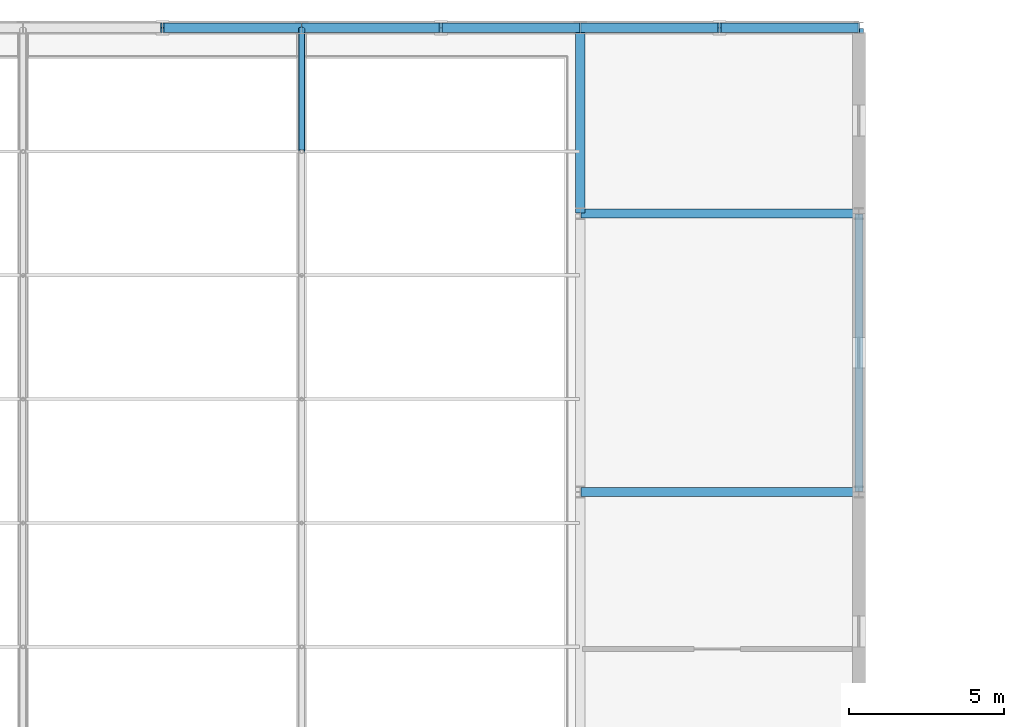
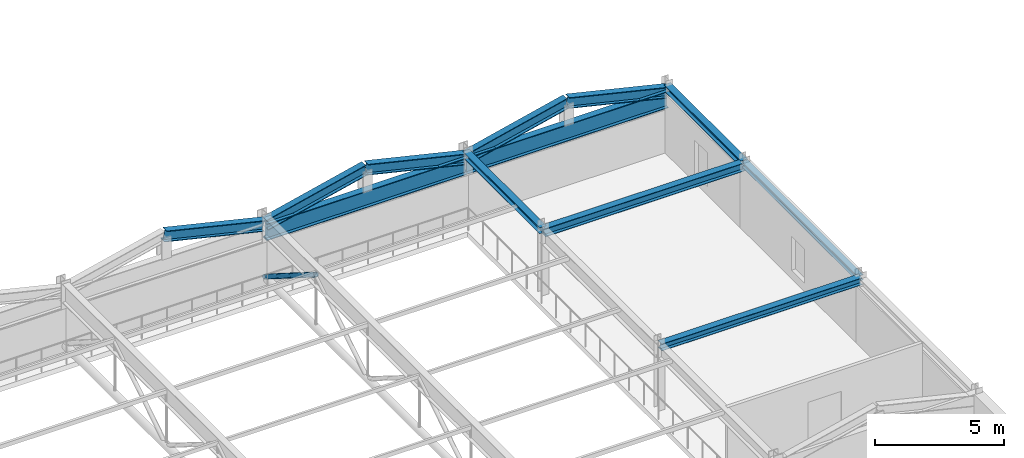
# One storey, part 41 of 91: 12 beams, 1 member.
"""IFC4 building model written with IfcOpenShell, lengths in metres."""

from ifc_helpers import new_model, si_unit, direction, frame, origin, origin_2d, place, context, subcontext, project, spatial, hollow_circle, i_section, extrude, material, material_profile, profile_set, type_object, element, save


model = new_model("IFC4")

# Units and contexts
model_context = context("Model", 3, precision=1e-05, world=origin(), true_north=direction((0.0, 1.0)))
body_context = subcontext(model_context, "Body", "Model", "MODEL_VIEW")
ifc_project = project(units=[si_unit("LENGTHUNIT", "METRE"), si_unit("AREAUNIT", "SQUARE_METRE"), si_unit("VOLUMEUNIT", "CUBIC_METRE"), si_unit("PLANEANGLEUNIT", "RADIAN"), si_unit("MASSUNIT", "GRAM", prefix="KILO")], contexts=[model_context])

# Site, building, storey
site_placement = place(None, origin())
site = spatial("IfcSite", under=ifc_project, at=site_placement, CompositionType="ELEMENT")
building_placement = place(site_placement, origin())
building = spatial("IfcBuilding", under=site, at=building_placement, Name="Palais des Congres Ocreval", CompositionType="ELEMENT")
storey_placement = place(building_placement, frame((0.0, 0.0, 8.159912109375)))
storey = spatial("IfcBuildingStorey", under=building, at=storey_placement, Name="L02", CompositionType="ELEMENT", Elevation=8.159912109375)

# Member
ifc_material = material(Name="Steel S355", Category="steel")
ifc_material_profile_1 = material_profile(ifc_material, hollow_circle(Radius=0.109619140625, WallThickness=0.012451171875, at=origin_2d()), Name="CHS 219.1x12.5")
ifc_profile_set_1 = profile_set([ifc_material_profile_1], Name="Steel S355")
member_type = type_object("IfcMemberType", Name="Diagonal Brace CHS 219.1x12.5 Steel S355", PredefinedType="BRACE", material=ifc_profile_set_1)
member_placement = place(storey_placement, frame((36.0, 110.0, 2.7900390625), z_axis=(0.0, 0.845587991701, -0.533836068743), x_axis=(-1.0, 0.0, 0.0)))
element("IfcMember", 1, at=member_placement, inside=storey, type_object=member_type, Name="ROOF TRUSS Diagonal V1-36-6", PredefinedType="BRACE", context=body_context, shape_type="SweptSolid", body=[
    extrude(hollow_circle(Radius=0.109619140625, WallThickness=0.012451171875, at=origin_2d()), origin(), (0.0, 0.0, 1.0), 4.68310546875),
])

# Beams
ifc_material_profile_2 = material_profile(ifc_material, i_section(OverallWidth=0.300048828125, OverallDepth=0.7900390625, WebThickness=0.014892578125, FlangeThickness=0.028076171875, at=origin_2d()), Name="HEA 800")
ifc_profile_set_2 = profile_set([ifc_material_profile_2], Name="Steel S355")
beam_type_1 = type_object("IfcBeamType", Name="Long-Span Girder HEA 800 Steel S355", PredefinedType="BEAM", material=ifc_profile_set_2)
for number, where, z_axis, x_axis, name in (
    (2, (36.02001953125, 114.0, 2.43017578125), (1.0, 0.0, 0.0), (0.0, 1.0, 0.0), "Beam B15 L02"),
    (3, (45.02001953125, 114.0, 2.43017578125), (1.0, 0.0, 0.0), (0.0, 1.0, 0.0), "Beam B15 L02"),
):
    element("IfcBeam", number, at=place(storey_placement, frame(where, z_axis=z_axis, x_axis=x_axis)), inside=storey, type_object=beam_type_1, Name=name, PredefinedType="BEAM", context=body_context, shape_type="SweptSolid", body=[
        extrude(i_section(OverallWidth=0.300048828125, OverallDepth=0.7900390625, WebThickness=0.014892578125, FlangeThickness=0.028076171875, at=origin_2d()), origin(), (0.0, 0.0, 1.0), 8.9599609375),
    ])
ifc_material_profile_3 = material_profile(ifc_material, i_section(OverallWidth=0.260009765625, OverallDepth=0.260009765625, WebThickness=0.010009765625, FlangeThickness=0.017578125, at=origin_2d()), Name="HEB 260")
ifc_profile_set_3 = profile_set([ifc_material_profile_3], Name="Steel S355")
beam_type_2 = type_object("IfcBeamType", Name="Opening Lintel HEB 260 Steel S355", PredefinedType="LINTEL", material=ifc_profile_set_3)
beam_1_placement = place(storey_placement, frame((54.0, 99.02001953125, 2.969970703125), z_axis=(0.0, 1.0, 0.0), x_axis=(-1.0, 0.0, 0.0)))
element("IfcBeam", 4, at=beam_1_placement, inside=storey, type_object=beam_type_2, Name="Girder LN01 L02", PredefinedType="LINTEL", context=body_context, shape_type="SweptSolid", body=[
    extrude(i_section(OverallWidth=0.260009765625, OverallDepth=0.260009765625, WebThickness=0.010009765625, FlangeThickness=0.017578125, at=origin_2d()), origin(), (0.0, 0.0, 1.0), 8.9599609375),
])
ifc_material_profile_4 = material_profile(ifc_material, i_section(OverallWidth=0.300048828125, OverallDepth=0.300048828125, WebThickness=0.010986328125, FlangeThickness=0.01904296875, at=origin_2d()), Name="HEB 300")
ifc_profile_set_4 = profile_set([ifc_material_profile_4], Name="Steel S355")
beam_type_3 = type_object("IfcBeamType", Name="Perimeter Spandrel HEB 300 Steel S355", PredefinedType="SPANDREL", material=ifc_profile_set_4)
beam_2_placement = place(storey_placement, frame((54.0, 108.02001953125, 2.9501953125), z_axis=(0.0, 1.0, 0.0), x_axis=(-1.0, 0.0, 0.0)))
element("IfcBeam", 5, at=beam_2_placement, inside=storey, type_object=beam_type_3, Name="Girder SP02 L02", PredefinedType="SPANDREL", context=body_context, shape_type="SweptSolid", body=[
    extrude(i_section(OverallWidth=0.300048828125, OverallDepth=0.300048828125, WebThickness=0.010986328125, FlangeThickness=0.01904296875, at=origin_2d()), origin(), (0.0, 0.0, 1.0), 5.9599609375),
])
ifc_material_profile_5 = material_profile(ifc_material, i_section(OverallWidth=0.300048828125, OverallDepth=0.2900390625, WebThickness=0.008544921875, FlangeThickness=0.013916015625, at=origin_2d()), Name="HEA 300")
ifc_profile_set_5 = profile_set([ifc_material_profile_5], Name="Steel S355")
beam_type_4 = type_object("IfcBeamType", Name="Primary Beam HEA 300 Steel S355", PredefinedType="BEAM", material=ifc_profile_set_5)
beam_3_placement = place(storey_placement, frame((45.0, 108.02001953125, 2.955078125), z_axis=(0.0, 1.0, 0.0), x_axis=(-1.0, 0.0, 0.0)))
element("IfcBeam", 6, at=beam_3_placement, inside=storey, type_object=beam_type_4, Name="Girder B08 L02", PredefinedType="BEAM", context=body_context, shape_type="SweptSolid", body=[
    extrude(i_section(OverallWidth=0.300048828125, OverallDepth=0.2900390625, WebThickness=0.008544921875, FlangeThickness=0.013916015625, at=origin_2d()), origin(), (0.0, 0.0, 1.0), 5.9599609375),
])
ifc_material_profile_6 = material_profile(ifc_material, i_section(OverallWidth=0.300048828125, OverallDepth=0.330078125, WebThickness=0.009521484375, FlangeThickness=0.0166015625, at=origin_2d()), Name="HEA 340")
ifc_profile_set_6 = profile_set([ifc_material_profile_6], Name="Steel S355")
beam_type_5 = type_object("IfcBeamType", Name="Primary Beam HEA 340 Steel S355", PredefinedType="BEAM", material=ifc_profile_set_6)
beam_4_placement = place(storey_placement, frame((45.02001953125, 99.0, 2.93505859375), z_axis=(1.0, 0.0, 0.0), x_axis=(0.0, 1.0, 0.0)))
element("IfcBeam", 7, at=beam_4_placement, inside=storey, type_object=beam_type_5, Name="Beam B09 L02", PredefinedType="BEAM", context=body_context, shape_type="SweptSolid", body=[
    extrude(i_section(OverallWidth=0.300048828125, OverallDepth=0.330078125, WebThickness=0.009521484375, FlangeThickness=0.0166015625, at=origin_2d()), origin(), (0.0, 0.0, 1.0), 8.9599609375),
])
ifc_material_profile_7 = material_profile(ifc_material, i_section(OverallWidth=0.300048828125, OverallDepth=0.389892578125, WebThickness=0.010986328125, FlangeThickness=0.01904296875, at=origin_2d()), Name="HEA 400")
ifc_profile_set_7 = profile_set([ifc_material_profile_7], Name="Steel S355")
beam_type_6 = type_object("IfcBeamType", Name="Primary Beam HEA 400 Steel S355", PredefinedType="BEAM", material=ifc_profile_set_7)
beam_5_placement = place(storey_placement, frame((45.02001953125, 108.0, 2.905029296875), z_axis=(1.0, 0.0, 0.0), x_axis=(0.0, 1.0, 0.0)))
element("IfcBeam", 8, at=beam_5_placement, inside=storey, type_object=beam_type_6, Name="Beam B10 L02", PredefinedType="BEAM", context=body_context, shape_type="SweptSolid", body=[
    extrude(i_section(OverallWidth=0.300048828125, OverallDepth=0.389892578125, WebThickness=0.010986328125, FlangeThickness=0.01904296875, at=origin_2d()), origin(), (0.0, 0.0, 1.0), 8.9599609375),
])
ifc_material_profile_8 = material_profile(ifc_material, i_section(OverallWidth=0.300048828125, OverallDepth=0.5, WebThickness=0.014404296875, FlangeThickness=0.028076171875, at=origin_2d()), Name="HEB 500")
ifc_profile_set_8 = profile_set([ifc_material_profile_8], Name="Steel S355")
beam_type_7 = type_object("IfcBeamType", Name="ROOF TRUSS Rafter HEB 500 Steel S355", PredefinedType="BEAM", material=ifc_profile_set_8)
for number, where, z_axis, x_axis, name in (
    (9, (31.5, 114.0, 3.820068359375), (0.972896426025, 0.0, -0.231241311682), (0.0, 1.0, 0.0), "ROOF TRUSS Folded Rafter RFB1"),
    (10, (36.0400390625, 114.0, 2.760009765625), (0.972896426025, 0.0, 0.231241311682), (0.0, 1.0, 0.0), "ROOF TRUSS Folded Rafter RFB1"),
    (11, (40.5, 114.0, 3.820068359375), (0.972896426025, 0.0, -0.231241311682), (0.0, 1.0, 0.0), "ROOF TRUSS Folded Rafter RFB1"),
    (12, (45.0400390625, 114.0, 2.760009765625), (0.972896426025, 0.0, 0.231241311682), (0.0, 1.0, 0.0), "ROOF TRUSS Folded Rafter RFB1"),
    (13, (49.5, 114.0, 3.820068359375), (0.972896426025, 0.0, -0.231241311682), (0.0, 1.0, 0.0), "ROOF TRUSS Folded Rafter RFB1"),
):
    element("IfcBeam", number, at=place(storey_placement, frame(where, z_axis=z_axis, x_axis=x_axis)), inside=storey, type_object=beam_type_7, Name=name, PredefinedType="BEAM", context=body_context, shape_type="SweptSolid", body=[
        extrude(i_section(OverallWidth=0.300048828125, OverallDepth=0.5, WebThickness=0.014404296875, FlangeThickness=0.028076171875, at=origin_2d()), origin(), (0.0, 0.0, 1.0), 4.584228515625),
    ])

save(model, "model.ifc")
